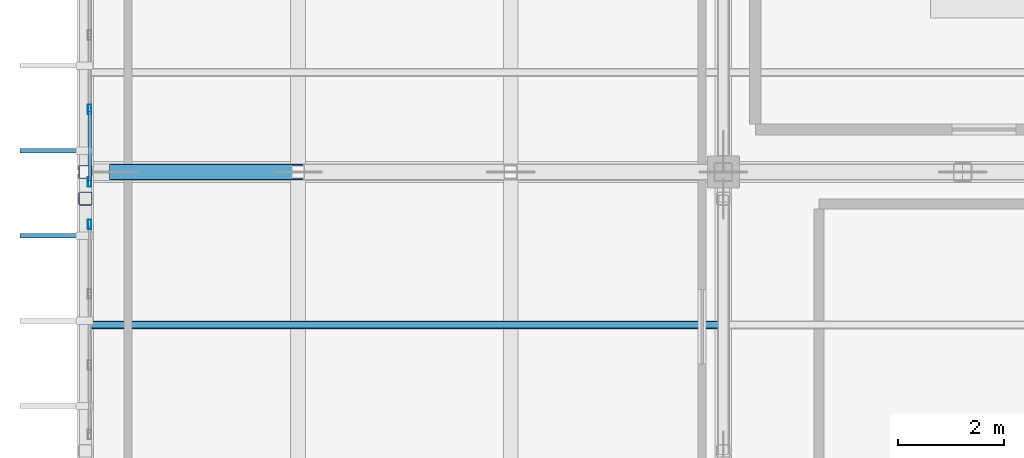
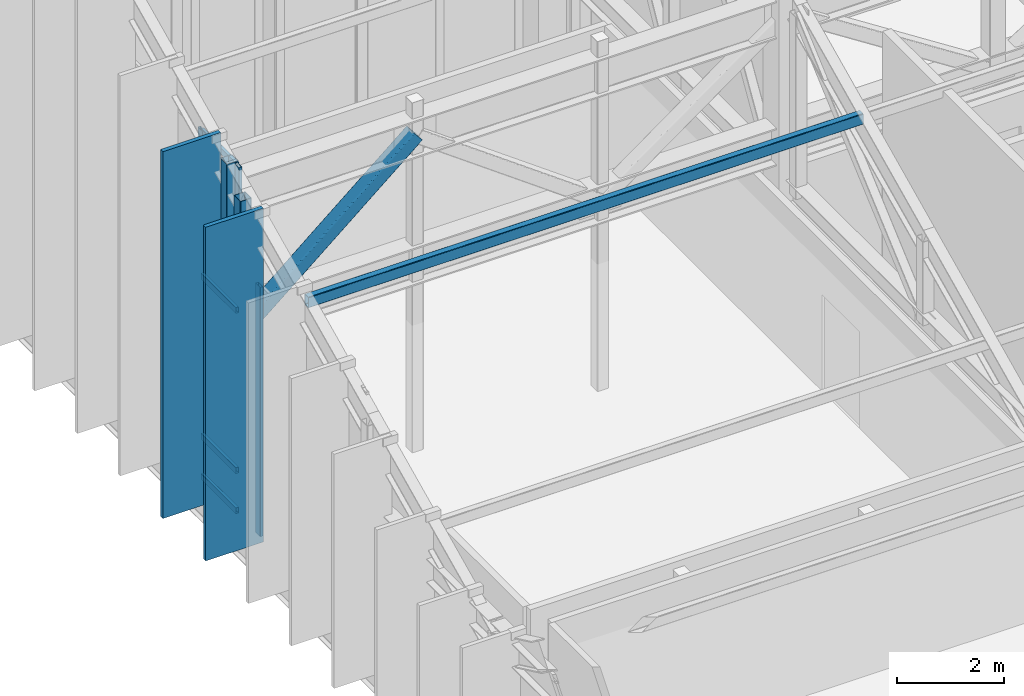
# One storey, part 21 of 68: 13 members, 2 elements without a shape of their own.
"""IFC4 building model written with IfcOpenShell, lengths in metres."""

from ifc_helpers import new_model, si_unit, direction, frame, origin, origin_2d, place, context, subcontext, project, spatial, rectangle, hollow_rectangle, extrude, material, material_profile, profile_set, type_object, element, aggregate, save


model = new_model("IFC4")

# Units and contexts
model_context = context("Model", 3, precision=1e-05, world=origin(), true_north=direction((0.0, 1.0)))
body_context = subcontext(model_context, "Body", "Model", "MODEL_VIEW")
ifc_project = project(units=[si_unit("LENGTHUNIT", "METRE"), si_unit("AREAUNIT", "SQUARE_METRE"), si_unit("VOLUMEUNIT", "CUBIC_METRE"), si_unit("PLANEANGLEUNIT", "RADIAN"), si_unit("MASSUNIT", "GRAM", prefix="KILO")], contexts=[model_context])

# Site, building, storey
site_placement = place(None, origin())
site = spatial("IfcSite", under=ifc_project, at=site_placement, CompositionType="ELEMENT")
building_placement = place(site_placement, origin())
building = spatial("IfcBuilding", under=site, at=building_placement, Name="Miravela Opera House", CompositionType="ELEMENT")
storey_placement = place(building_placement, frame((0.0, 0.0, 21.760009765625)))
storey = spatial("IfcBuildingStorey", under=building, at=storey_placement, Name="L05", CompositionType="ELEMENT", Elevation=21.760009765625)

# Curtain wall, member
ifc_material_1 = material(Name="Anodised architectural bronze aluminium 6063-T6", Category="aluminium")
curtain_wall_type = type_object("IfcCurtainWallType", Name="ARC-CW-03", PredefinedType="NOTDEFINED", material=ifc_material_1)
curtain_wall_1_placement = place(storey_placement, origin())
curtain_wall_1 = element("IfcCurtainWall", 1, at=curtain_wall_1_placement, inside=storey, type_object=curtain_wall_type, Name="Cantilever West Wrapper Glazing B6 CW-L05-052", PredefinedType="NOTDEFINED")
ifc_material_profile_1 = material_profile(ifc_material_1, hollow_rectangle(XDim=0.06494140625, YDim=0.179931640625, WallThickness=0.00390625, InnerFilletRadius=0.001953125, OuterFilletRadius=0.00390625, at=origin_2d()), Name="CWM-65X180")
ifc_profile_set_1 = profile_set([ifc_material_profile_1])
member_type_1 = type_object("IfcMemberType", Name="ARC-CWM-180", PredefinedType="MULLION", material=ifc_profile_set_1)
member_1_placement = place(storey_placement, frame((15.080078125, 65.017578125, 0.0), z_axis=(0.0, 0.0, 1.0), x_axis=(-1.0, 0.0, 0.0)))
member_1 = element("IfcMember", 2, at=member_1_placement, type_object=member_type_1, Name="CW-03 mullion 4", PredefinedType="MULLION", context=body_context, shape_type="SweptSolid", body=[
    extrude(hollow_rectangle(XDim=0.06494140625, YDim=0.179931640625, WallThickness=0.00390625, InnerFilletRadius=0.001953125, OuterFilletRadius=0.00390625, at=origin_2d()), origin(), (0.0, 0.0, 1.0), 5.692626953125),
])
aggregate(curtain_wall_1, [member_1])

# Curtain wall, members
curtain_wall_2_placement = place(storey_placement, origin())
curtain_wall_2 = element("IfcCurtainWall", 3, at=curtain_wall_2_placement, inside=storey, type_object=curtain_wall_type, Name="Cantilever West Wrapper Glazing B7 CW-L05-053", PredefinedType="NOTDEFINED")
member_2_placement = place(storey_placement, frame((15.080078125, 65.8125, 0.0), z_axis=(0.0, 0.0, 1.0), x_axis=(-1.0, 0.0, 0.0)))
member_2 = element("IfcMember", 4, at=member_2_placement, type_object=member_type_1, Name="CW-03 mullion 1", PredefinedType="MULLION", context=body_context, shape_type="SweptSolid", body=[
    extrude(hollow_rectangle(XDim=0.06494140625, YDim=0.179931640625, WallThickness=0.00390625, InnerFilletRadius=0.001953125, OuterFilletRadius=0.00390625, at=origin_2d()), origin(), (0.0, 0.0, 1.0), 7.942626953125),
])
member_3_placement = place(storey_placement, frame((15.080078125, 67.1767578125, 0.0), z_axis=(0.0, 0.0, 1.0), x_axis=(-1.0, 0.0, 0.0)))
member_3 = element("IfcMember", 5, at=member_3_placement, type_object=member_type_1, Name="CW-03 mullion 2", PredefinedType="MULLION", context=body_context, shape_type="SweptSolid", body=[
    extrude(hollow_rectangle(XDim=0.06494140625, YDim=0.179931640625, WallThickness=0.00390625, InnerFilletRadius=0.001953125, OuterFilletRadius=0.00390625, at=origin_2d()), origin(), (0.0, 0.0, 1.0), 7.942626953125),
])
ifc_material_profile_2 = material_profile(ifc_material_1, hollow_rectangle(XDim=0.06494140625, YDim=0.139892578125, WallThickness=0.00390625, InnerFilletRadius=0.001953125, OuterFilletRadius=0.00390625, at=origin_2d()), Name="CWT-65X140")
ifc_profile_set_2 = profile_set([ifc_material_profile_2])
member_type_2 = type_object("IfcMemberType", Name="ARC-CWT-140", PredefinedType="USERDEFINED", material=ifc_profile_set_2)
member_4_placement = place(storey_placement, frame((15.080078125, 65.844970703125, 0.032470703125), z_axis=(0.0, 1.0, 0.0), x_axis=(-1.0, 0.0, 0.0)))
member_4 = element("IfcMember", 6, at=member_4_placement, type_object=member_type_2, Name="CW-03 transom 1.1", ObjectType="TRANSOM", PredefinedType="USERDEFINED", context=body_context, shape_type="SweptSolid", body=[
    extrude(hollow_rectangle(XDim=0.06494140625, YDim=0.139892578125, WallThickness=0.00390625, InnerFilletRadius=0.001953125, OuterFilletRadius=0.00390625, at=origin_2d()), origin(), (0.0, 0.0, 1.0), 1.29931640625),
])
member_5_placement = place(storey_placement, frame((15.080078125, 65.844970703125, 0.949951171875), z_axis=(0.0, 1.0, 0.0), x_axis=(-1.0, 0.0, 0.0)))
member_5 = element("IfcMember", 7, at=member_5_placement, type_object=member_type_2, Name="CW-03 transom 1.2", ObjectType="TRANSOM", PredefinedType="USERDEFINED", context=body_context, shape_type="SweptSolid", body=[
    extrude(hollow_rectangle(XDim=0.06494140625, YDim=0.139892578125, WallThickness=0.00390625, InnerFilletRadius=0.001953125, OuterFilletRadius=0.00390625, at=origin_2d()), origin(), (0.0, 0.0, 1.0), 1.29931640625),
])
member_6_placement = place(storey_placement, frame((15.080078125, 65.844970703125, 4.606689453125), z_axis=(0.0, 1.0, 0.0), x_axis=(-1.0, 0.0, 0.0)))
member_6 = element("IfcMember", 8, at=member_6_placement, type_object=member_type_2, Name="CW-03 transom 1.3", ObjectType="TRANSOM", PredefinedType="USERDEFINED", context=body_context, shape_type="SweptSolid", body=[
    extrude(hollow_rectangle(XDim=0.06494140625, YDim=0.139892578125, WallThickness=0.00390625, InnerFilletRadius=0.001953125, OuterFilletRadius=0.00390625, at=origin_2d()), origin(), (0.0, 0.0, 1.0), 1.29931640625),
])
member_7_placement = place(storey_placement, frame((15.080078125, 65.844970703125, 7.91015625), z_axis=(0.0, 1.0, 0.0), x_axis=(-1.0, 0.0, 0.0)))
member_7 = element("IfcMember", 9, at=member_7_placement, type_object=member_type_2, Name="CW-03 transom 1.4", ObjectType="TRANSOM", PredefinedType="USERDEFINED", context=body_context, shape_type="SweptSolid", body=[
    extrude(hollow_rectangle(XDim=0.06494140625, YDim=0.139892578125, WallThickness=0.00390625, InnerFilletRadius=0.001953125, OuterFilletRadius=0.00390625, at=origin_2d()), origin(), (0.0, 0.0, 1.0), 1.29931640625),
])
aggregate(curtain_wall_2, [member_2, member_3, member_4, member_5, member_6, member_7])

# Members
ifc_material_profile_3 = material_profile(ifc_material_1, rectangle(XDim=0.090087890625, YDim=1.25, at=origin_2d()), Name="FIN-1250X90")
ifc_profile_set_3 = profile_set([ifc_material_profile_3])
member_type_3 = type_object("IfcMemberType", Name="ARC-FIN-1250", PredefinedType="USERDEFINED", material=ifc_profile_set_3)
member_8_placement = place(storey_placement, frame((14.39501953125, 64.800048828125, 0.0), z_axis=(0.0, 0.0, 1.0), x_axis=(0.0, 1.0, 0.0)))
element("IfcMember", 10, at=member_8_placement, inside=storey, type_object=member_type_3, Name="Auditorium Wrapper Bronze Solar Fin FIN-L05-WEST-0158", ObjectType="FIN", PredefinedType="USERDEFINED", context=body_context, shape_type="SweptSolid", body=[
    extrude(rectangle(XDim=0.090087890625, YDim=1.25, at=origin_2d()), origin(), (0.0, 0.0, 1.0), 7.618408203125),
])
member_9_placement = place(storey_placement, frame((14.39501953125, 66.39990234375, 0.0), z_axis=(0.0, 0.0, 1.0), x_axis=(0.0, 1.0, 0.0)))
element("IfcMember", 11, at=member_9_placement, inside=storey, type_object=member_type_3, Name="Auditorium Wrapper Bronze Solar Fin FIN-L05-WEST-0159", ObjectType="FIN", PredefinedType="USERDEFINED", context=body_context, shape_type="SweptSolid", body=[
    extrude(rectangle(XDim=0.090087890625, YDim=1.25, at=origin_2d()), origin(), (0.0, 0.0, 1.0), 8.376220703125),
])
ifc_material_2 = material(Name="Hollow structural steel ASTM A500 Gr. C", Category="steel")
ifc_material_profile_4 = material_profile(ifc_material_2, hollow_rectangle(XDim=0.300048828125, YDim=0.300048828125, WallThickness=0.01611328125, InnerFilletRadius=0.01611328125, OuterFilletRadius=0.031982421875, at=origin_2d()), Name="HSS300X300X16")
ifc_profile_set_4 = profile_set([ifc_material_profile_4])
member_type_4 = type_object("IfcMemberType", Name="STR-MEM-CANT-DIAG", PredefinedType="BRACE", material=ifc_profile_set_4)
member_10_placement = place(storey_placement, frame((15.550048828125, 66.0, 4.2900390625), z_axis=(0.765492457934, 0.0, 0.643444866983), x_axis=(0.0, 1.0, 0.0)))
element("IfcMember", 12, at=member_10_placement, inside=storey, type_object=member_type_4, Name="Cantilever Truss CT-04 Attic Web Diagonal 1", PredefinedType="BRACE", context=body_context, shape_type="SweptSolid", body=[
    extrude(hollow_rectangle(XDim=0.300048828125, YDim=0.300048828125, WallThickness=0.01611328125, InnerFilletRadius=0.01611328125, OuterFilletRadius=0.031982421875, at=origin_2d()), origin(), (0.0, 0.0, 1.0), 4.5068359375),
])
ifc_material_profile_5 = material_profile(ifc_material_2, hollow_rectangle(XDim=0.25, YDim=0.25, WallThickness=0.011962890625, InnerFilletRadius=0.011962890625, OuterFilletRadius=0.02392578125, at=origin_2d()), Name="HSS250X250X12")
ifc_profile_set_5 = profile_set([ifc_material_profile_5])
member_type_5 = type_object("IfcMemberType", Name="STR-MEM-CANT-POST2", PredefinedType="POST", material=ifc_profile_set_5)
member_11_placement = place(storey_placement, frame((15.0, 66.0, -0.5400390625), z_axis=(0.0, 0.0, 1.0), x_axis=(1.0, 0.0, 0.0)))
element("IfcMember", 13, at=member_11_placement, inside=storey, type_object=member_type_5, Name="Upper Wrapper Truss Post L05 X=15.0", PredefinedType="POST", context=body_context, shape_type="SweptSolid", body=[
    extrude(hollow_rectangle(XDim=0.25, YDim=0.25, WallThickness=0.011962890625, InnerFilletRadius=0.011962890625, OuterFilletRadius=0.02392578125, at=origin_2d()), origin(), (0.0, 0.0, 1.0), 8.52685546875),
])
member_12_placement = place(storey_placement, frame((15.0, 65.5, 3.280029296875), z_axis=(0.0, 0.0, 1.0), x_axis=(1.0, 0.0, 0.0)))
element("IfcMember", 14, at=member_12_placement, inside=storey, type_object=member_type_5, Name="V-Crest Roof Truss Panel Post X=15 Node 6", PredefinedType="POST", context=body_context, shape_type="SweptSolid", body=[
    extrude(hollow_rectangle(XDim=0.25, YDim=0.25, WallThickness=0.011962890625, InnerFilletRadius=0.011962890625, OuterFilletRadius=0.02392578125, at=origin_2d()), origin(), (0.0, 0.0, 1.0), 4.159912109375),
])
ifc_material_profile_6 = material_profile(ifc_material_2, hollow_rectangle(XDim=0.14990234375, YDim=0.25, WallThickness=0.011962890625, InnerFilletRadius=0.011962890625, OuterFilletRadius=0.02392578125, at=origin_2d()), Name="HSS250X150X12")
ifc_profile_set_6 = profile_set([ifc_material_profile_6])
member_type_6 = type_object("IfcMemberType", Name="STR-MEM-PURLIN-1", PredefinedType="PURLIN", material=ifc_profile_set_6)
member_13_placement = place(storey_placement, frame((15.010009765625, 63.125, 6.494873046875), z_axis=(1.0, 0.0, 0.0), x_axis=(0.0, 1.0, 0.0)))
element("IfcMember", 15, at=member_13_placement, inside=storey, type_object=member_type_6, Name="V-Roof Steel Purlin B6.1", PredefinedType="PURLIN", context=body_context, shape_type="SweptSolid", body=[
    extrude(hollow_rectangle(XDim=0.14990234375, YDim=0.25, WallThickness=0.011962890625, InnerFilletRadius=0.011962890625, OuterFilletRadius=0.02392578125, at=origin_2d()), origin(), (0.0, 0.0, 1.0), 11.97998046875),
])

save(model, "model.ifc")
